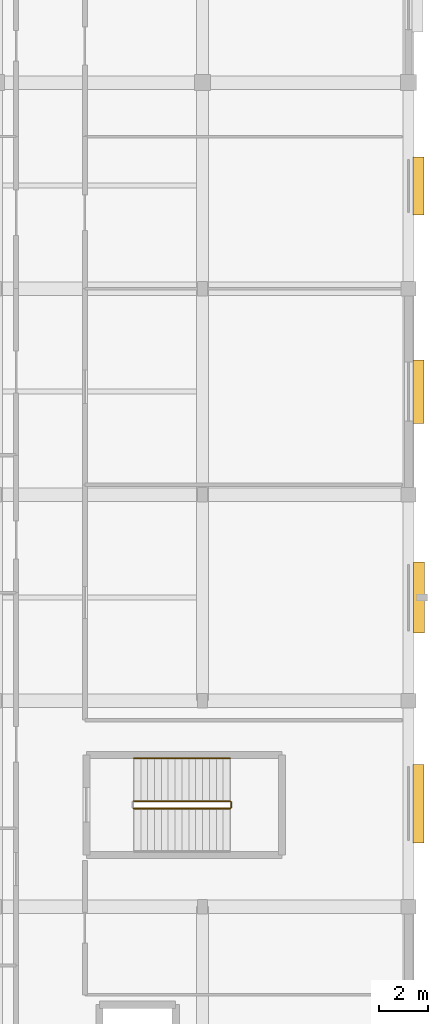
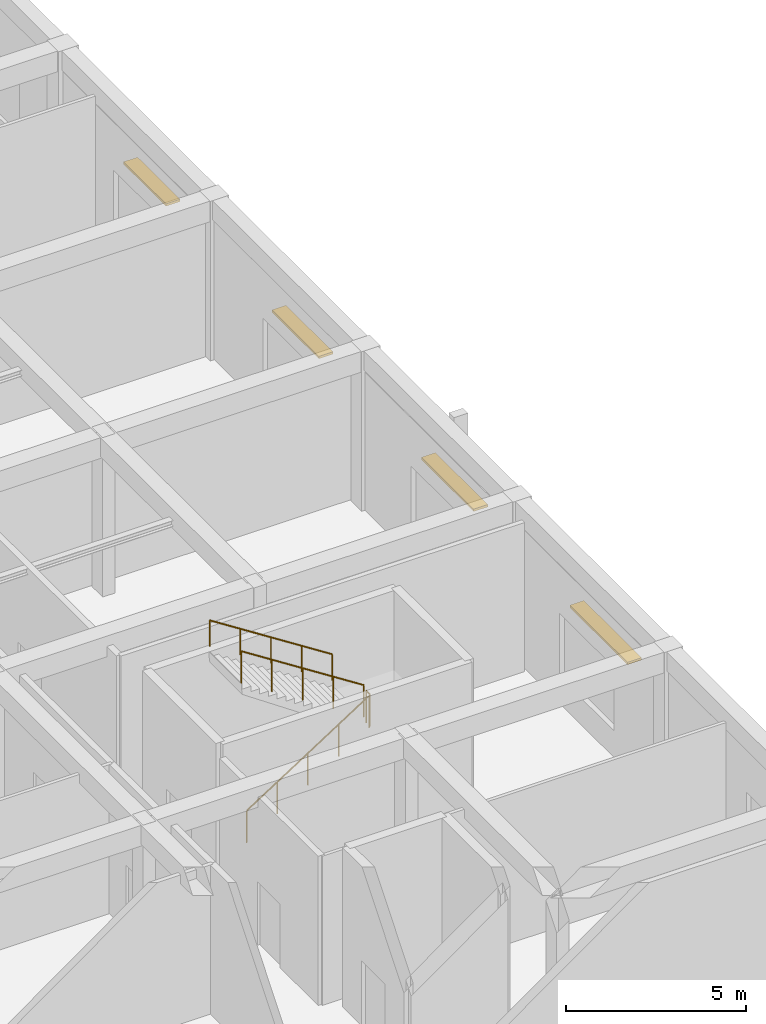
# One storey, part 154 of 157: 4 railings, 4 shading devices.
"""IFC4 building model written with IfcOpenShell, lengths in metres."""

from ifc_helpers import new_model, si_unit, direction, frame, origin, origin_2d, place, context, subcontext, project, spatial, rectangle, circle, extrude, material, layer, layer_set, type_object, element, save


model = new_model("IFC4")

# Units and contexts
model_context = context("Model", 3, precision=1e-05, world=origin(), true_north=direction((0.0, 1.0)))
body_context = subcontext(model_context, "Body", "Model", "MODEL_VIEW")
ifc_project = project(units=[si_unit("LENGTHUNIT", "METRE"), si_unit("AREAUNIT", "SQUARE_METRE"), si_unit("VOLUMEUNIT", "CUBIC_METRE"), si_unit("PLANEANGLEUNIT", "RADIAN"), si_unit("MASSUNIT", "GRAM", prefix="KILO")], contexts=[model_context])

# Site, building, storey
site_placement = place(None, origin())
site = spatial("IfcSite", under=ifc_project, at=site_placement, CompositionType="ELEMENT")
building_placement = place(site_placement, origin())
building = spatial("IfcBuilding", under=site, at=building_placement, Name="Varncliffe General Hospital", CompositionType="ELEMENT")
storey_placement = place(building_placement, frame((0.0, 0.0, 5.39990234375)))
storey = spatial("IfcBuildingStorey", under=building, at=storey_placement, Name="L01", CompositionType="ELEMENT", Elevation=5.39990234375)

# Shading devices
ifc_material_1 = material(Name="Dark bronze extruded aluminium solar jalousie louvres", Category="aluminium")
ifc_layer = layer(ifc_material_1, 0.080078125)
ifc_layer_set = layer_set([ifc_layer], Name="Dark bronze extruded aluminium solar jalousie louvres")
shading_device_type = type_object("IfcShadingDeviceType", Name="Bronze Solar Jalousie Louvre Hood SHD18", PredefinedType="JALOUSIE", material=ifc_layer_set)
shading_device_1_placement = place(storey_placement, frame((176.81494140625, 86.987548828125, 3.06005859375), z_axis=(0.0, 0.0, 1.0), x_axis=(0.0, -1.0, 0.0)))
element("IfcShadingDevice", 1, at=shading_device_1_placement, inside=storey, type_object=shading_device_type, Name="L01 Bronze Window Sun-Shading Louvre 31", PredefinedType="JALOUSIE", context=body_context, shape_type="SweptSolid", body=[
    extrude(rectangle(XDim=2.35009765625, YDim=0.449951171875, at=origin_2d()), origin(), (0.0, 0.0, 1.0), 0.080078125),
])
shading_device_2_placement = place(storey_placement, frame((176.800048828125, 78.60009765625, 3.06005859375), z_axis=(0.0, 0.0, 1.0), x_axis=(0.0, -1.0, 0.0)))
element("IfcShadingDevice", 2, at=shading_device_2_placement, inside=storey, type_object=shading_device_type, Name="L01 Bronze Window Sun-Shading Louvre 32", PredefinedType="JALOUSIE", context=body_context, shape_type="SweptSolid", body=[
    extrude(rectangle(XDim=2.60009765625, YDim=0.449951171875, at=origin_2d()), origin(), (0.0, 0.0, 1.0), 0.080078125),
])
shading_device_3_placement = place(storey_placement, frame((176.824951171875, 70.199951171875, 3.06005859375), z_axis=(0.0, 0.0, 1.0), x_axis=(0.0, -1.0, 0.0)))
element("IfcShadingDevice", 3, at=shading_device_3_placement, inside=storey, type_object=shading_device_type, Name="L01 Bronze Window Sun-Shading Louvre 33", PredefinedType="JALOUSIE", context=body_context, shape_type="SweptSolid", body=[
    extrude(rectangle(XDim=2.89990234375, YDim=0.449951171875, at=origin_2d()), origin(), (0.0, 0.0, 1.0), 0.080078125),
])
shading_device_4_placement = place(storey_placement, frame((176.81494140625, 61.800048828125, 3.06005859375), z_axis=(0.0, 0.0, 1.0), x_axis=(0.0, -1.0, 0.0)))
element("IfcShadingDevice", 4, at=shading_device_4_placement, inside=storey, type_object=shading_device_type, Name="L01 Bronze Window Sun-Shading Louvre 34", PredefinedType="JALOUSIE", context=body_context, shape_type="SweptSolid", body=[
    extrude(rectangle(XDim=3.199951171875, YDim=0.449951171875, at=origin_2d()), origin(), (0.0, 0.0, 1.0), 0.080078125),
])

# Railings
ifc_material_2 = material(Name="Powder-coated hospital steel guardrail and handrail", Category="steel")
railing_type_1 = type_object("IfcRailingType", Name="Stair and Ramp Handrail HR46", PredefinedType="HANDRAIL", material=ifc_material_2)
railing_1_placement = place(storey_placement, frame((169.1201171875, 63.64990234375, 3.064208984375)))
element("IfcRailing", 5, at=railing_1_placement, inside=storey, type_object=railing_type_1, Name="L01 ST07 stair handrail 2", PredefinedType="HANDRAIL", context=body_context, shape_type="SweptSolid", body=[
    extrude(circle(Radius=0.02392578125, at=origin_2d()), frame((0.0, 0.0, 0.8759765625), z_axis=(-0.841210815121, 0.0, 0.540707281738), x_axis=(0.0, -1.0, 0.0)), (0.0, 0.0, 1.0), 4.66015625),
    extrude(circle(Radius=0.02099609375, at=origin_2d()), origin(), (0.0, 0.0, 1.0), 0.851806640625),
    extrude(circle(Radius=0.02099609375, at=origin_2d()), frame((-0.97998046875, 0.0, 0.6298828125)), (0.0, 0.0, 1.0), 0.851806640625),
    extrude(circle(Radius=0.02099609375, at=origin_2d()), frame((-1.9599609375, 0.0, 1.259765625)), (0.0, 0.0, 1.0), 0.851806640625),
    extrude(circle(Radius=0.02099609375, at=origin_2d()), frame((-2.940185546875, 0.0, 1.889892578125)), (0.0, 0.0, 1.0), 0.851806640625),
    extrude(circle(Radius=0.02099609375, at=origin_2d()), frame((-3.920166015625, 0.0, 2.519775390625)), (0.0, 0.0, 1.0), 0.851806640625),
])
railing_type_2 = type_object("IfcRailingType", Name="Stairwell Guardrail SG49", PredefinedType="GUARDRAIL", material=ifc_material_2)
railing_2_placement = place(storey_placement, frame((165.199951171875, 61.60009765625, 0.18017578125)))
element("IfcRailing", 6, at=railing_2_placement, inside=storey, type_object=railing_type_2, Name="L01 ST07 stair guard 1", PredefinedType="GUARDRAIL", context=body_context, shape_type="SweptSolid", body=[
    extrude(circle(Radius=0.02392578125, at=origin_2d()), frame((0.0, 0.0, 1.076171875), z_axis=(0.841186985886, 0.0, 0.540744352514), x_axis=(0.0, 1.0, 0.0)), (0.0, 0.0, 1.0), 4.660400390625),
    extrude(circle(Radius=0.02099609375, at=origin_2d()), origin(), (0.0, 0.0, 1.0), 1.052001953125),
    extrude(circle(Radius=0.02099609375, at=origin_2d()), frame((0.97998046875, 0.0, 0.6298828125)), (0.0, 0.0, 1.0), 1.052001953125),
    extrude(circle(Radius=0.02099609375, at=origin_2d()), frame((1.9599609375, 0.0, 1.260009765625)), (0.0, 0.0, 1.0), 1.052001953125),
    extrude(circle(Radius=0.02099609375, at=origin_2d()), frame((2.940185546875, 0.0, 1.89013671875)), (0.0, 0.0, 1.0), 1.052001953125),
    extrude(circle(Radius=0.02099609375, at=origin_2d()), frame((3.920166015625, 0.0, 2.52001953125)), (0.0, 0.0, 1.0), 1.052001953125),
])
railing_3_placement = place(storey_placement, frame((169.169921875, 61.64990234375, 2.7001953125)))
element("IfcRailing", 7, at=railing_3_placement, inside=storey, type_object=railing_type_2, Name="L01 ST07 stair guard 2", PredefinedType="GUARDRAIL", context=body_context, shape_type="SweptSolid", body=[
    extrude(circle(Radius=0.02392578125, at=origin_2d()), frame((0.0, 0.0, 1.076171875), z_axis=(0.0, 1.0, 0.0), x_axis=(-1.0, 0.0, 0.0)), (0.0, 0.0, 1.0), 0.2001953125),
    extrude(circle(Radius=0.02099609375, at=origin_2d()), origin(), (0.0, 0.0, 1.0), 1.052001953125),
    extrude(circle(Radius=0.02099609375, at=origin_2d()), frame((0.0, 0.2001953125, 0.0)), (0.0, 0.0, 1.0), 1.052001953125),
])
railing_4_placement = place(storey_placement, frame((169.1201171875, 61.89990234375, 2.880126953125)))
element("IfcRailing", 8, at=railing_4_placement, inside=storey, type_object=railing_type_2, Name="L01 ST07 stair guard 3", PredefinedType="GUARDRAIL", context=body_context, shape_type="SweptSolid", body=[
    extrude(circle(Radius=0.02392578125, at=origin_2d()), frame((0.0, 0.0, 1.076171875), z_axis=(-0.841186985886, 0.0, 0.540744352514), x_axis=(0.0, -1.0, 0.0)), (0.0, 0.0, 1.0), 4.660400390625),
    extrude(circle(Radius=0.02099609375, at=origin_2d()), origin(), (0.0, 0.0, 1.0), 1.052001953125),
    extrude(circle(Radius=0.02099609375, at=origin_2d()), frame((-0.97998046875, 0.0, 0.6298828125)), (0.0, 0.0, 1.0), 1.052001953125),
    extrude(circle(Radius=0.02099609375, at=origin_2d()), frame((-1.9599609375, 0.0, 1.260009765625)), (0.0, 0.0, 1.0), 1.052001953125),
    extrude(circle(Radius=0.02099609375, at=origin_2d()), frame((-2.940185546875, 0.0, 1.89013671875)), (0.0, 0.0, 1.0), 1.052001953125),
    extrude(circle(Radius=0.02099609375, at=origin_2d()), frame((-3.920166015625, 0.0, 2.52001953125)), (0.0, 0.0, 1.0), 1.052001953125),
])

save(model, "model.ifc")
